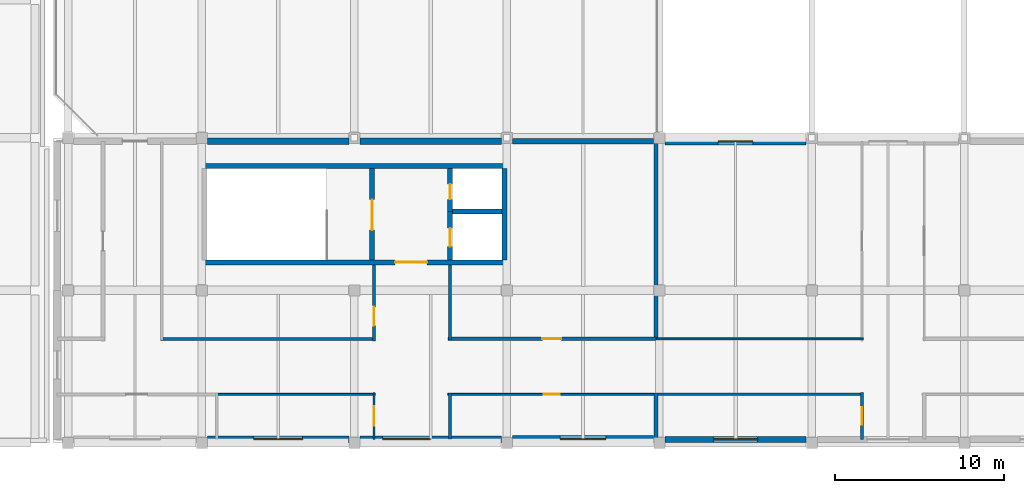
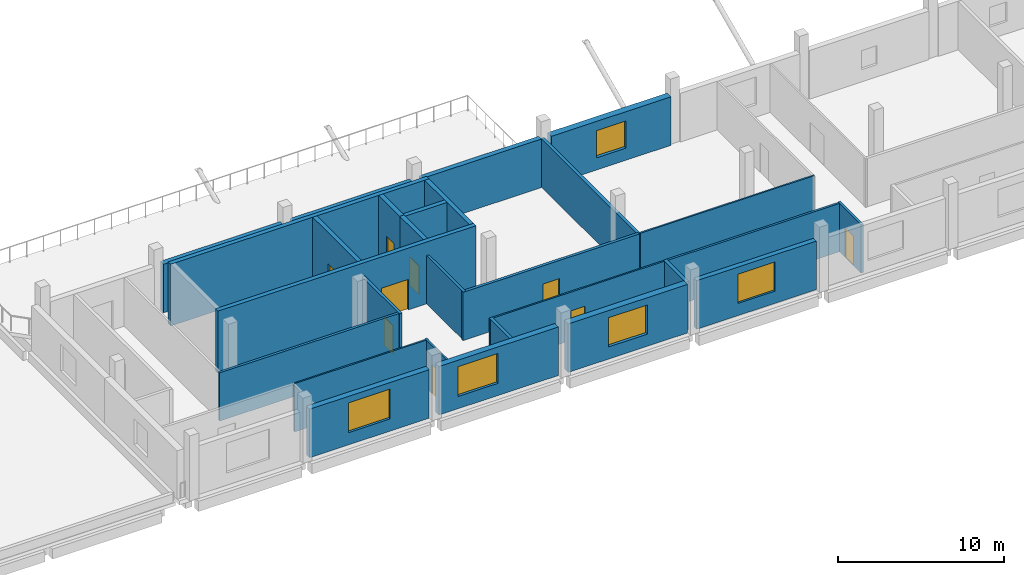
# One storey, part 48 of 82: 28 walls, 9 doors, 5 windows, 14 openings.
"""IFC4 building model written with IfcOpenShell, lengths in metres."""

import ifcopenshell
import ifcopenshell.guid

model = None  # the IFC model being written
_history = None  # IfcOwnerHistory: only IFC2X3 demands one
_inside = {}  # id of a spatial element -> (the spatial element, [elements in it])
_under = {}  # id of a project, library or spatial element -> (it, [spatial elements below it])
_declared = {}  # id of a project -> (the project, [libraries it declares])
_typed = {}  # id of a type object -> (the type object, [elements of that type])
_made_of = {}  # id of a material, layer set ... -> (it, [elements and type objects made of it])


def new_model(schema):
    """Start an empty IFC model of exactly this schema.

    Asked for "IFC4X3", IfcOpenShell would pick the latest addendum, in which some entities
    have other attributes; the version numbers below select the first issue.
    IFC2X3 requires an IfcOwnerHistory on every rooted entity: one is made here for all.
    """
    global model, _history
    if schema == "IFC4X3":
        model = ifcopenshell.file(schema_version=(4, 3, 0, 0))
    else:
        model = ifcopenshell.file(schema=schema)
    _inside.clear()
    _under.clear()
    _declared.clear()
    _typed.clear()
    _made_of.clear()
    _history = None
    if model.schema == "IFC2X3":
        org = make("IfcOrganization", Name="unknown")
        user = make(
            "IfcPersonAndOrganization",
            ThePerson=make("IfcPerson", FamilyName="unknown"),
            TheOrganization=org,
        )
        app = make(
            "IfcApplication",
            ApplicationDeveloper=org,
            Version="unknown",
            ApplicationFullName="unknown",
            ApplicationIdentifier="unknown",
        )
        _history = make(
            "IfcOwnerHistory",
            OwningUser=user,
            OwningApplication=app,
            ChangeAction="ADDED",
            CreationDate=0,
        )
    return model


def make(cls, **values):
    """One entity of the class cls with the attributes given. An attribute that is None is left unset."""
    return model.create_entity(
        cls, **{name: value for name, value in values.items() if value is not None}
    )


def rooted(cls, **values):
    """An entity with a GlobalId (a new one), such as an element, a storey or a relation."""
    return make(cls, GlobalId=ifcopenshell.guid.new(), OwnerHistory=_history, **values)


def si_unit(unit_type, name, prefix=None):
    """IfcSIUnit, for example si_unit("LENGTHUNIT", "METRE", prefix="MILLI")."""
    return make("IfcSIUnit", UnitType=unit_type, Prefix=prefix, Name=name)


def assignment(units):
    """IfcUnitAssignment: the units of a project."""
    return None if units is None else make("IfcUnitAssignment", Units=units)


def point(xyz):
    """IfcCartesianPoint."""
    return None if xyz is None else make("IfcCartesianPoint", Coordinates=xyz)


def direction(xyz):
    """IfcDirection."""
    return None if xyz is None else make("IfcDirection", DirectionRatios=xyz)


def frame(location, z_axis=None, x_axis=None):
    """IfcAxis2Placement3D, a coordinate frame: its origin and axes. An axis left out is left unset."""
    return make(
        "IfcAxis2Placement3D",
        Location=point(location),
        Axis=direction(z_axis),
        RefDirection=direction(x_axis),
    )


def frame_2d(location, x_axis=None):
    """IfcAxis2Placement2D, a coordinate frame in the plane: its origin and x axis."""
    return make(
        "IfcAxis2Placement2D", Location=point(location), RefDirection=direction(x_axis)
    )


def origin():
    """The frame at (0, 0, 0) with its axes left unset."""
    return frame((0.0, 0.0, 0.0))


def place(relative_to, where):
    """IfcLocalPlacement: puts the frame where relative to a parent placement (None: the world)."""
    return make(
        "IfcLocalPlacement", PlacementRelTo=relative_to, RelativePlacement=where
    )


def context(
    kind, dimensions, precision=None, world=None, true_north=None, identifier=None
):
    """IfcGeometricRepresentationContext, for example the 3D "Model" context."""
    return make(
        "IfcGeometricRepresentationContext",
        ContextIdentifier=identifier,
        ContextType=kind,
        CoordinateSpaceDimension=dimensions,
        Precision=precision,
        WorldCoordinateSystem=world,
        TrueNorth=true_north,
    )


def subcontext(parent, identifier, kind, view, scale=None):
    """IfcGeometricRepresentationSubContext, for example "Body" below "Model"."""
    return make(
        "IfcGeometricRepresentationSubContext",
        ContextIdentifier=identifier,
        ContextType=kind,
        ParentContext=parent,
        TargetScale=scale,
        TargetView=view,
    )


def project(units=None, contexts=None):
    """IfcProject with its units and contexts."""
    return rooted(
        "IfcProject",
        Name="project",
        RepresentationContexts=contexts,
        UnitsInContext=assignment(units),
    )


def spatial(cls, under=None, at=None, **own):
    """A site, building, storey or space (cls), placed at a placement, below another one or the project."""
    s = rooted(cls, ObjectPlacement=at, **own)
    if under is not None:
        _under.setdefault(under.id(), (under, []))[1].append(s)
    return s


def profile(cls, at=None, kind="AREA", **sizes):
    """A parametric profile (cls). Its sizes go by their IFC names, for example OverallWidth=200.0."""
    return make(cls, ProfileType=kind, Position=at, **sizes)


def rectangle(**sizes):
    """IfcRectangleProfileDef."""
    return profile("IfcRectangleProfileDef", **sizes)


def extrude(swept, where, along, depth):
    """IfcExtrudedAreaSolid: the profile swept, set in the frame where, extruded along a direction by depth."""
    return make(
        "IfcExtrudedAreaSolid",
        SweptArea=swept,
        Position=where,
        ExtrudedDirection=direction(along),
        Depth=depth,
    )


def shape(context_of_items, identifier, shape_type, items):
    """IfcShapeRepresentation: the items that make up one representation, for example the "Body"."""
    return make(
        "IfcShapeRepresentation",
        ContextOfItems=context_of_items,
        RepresentationIdentifier=identifier,
        RepresentationType=shape_type,
        Items=items,
    )


def material(Name=None, Category=None):
    """IfcMaterial."""
    return make("IfcMaterial", Name=Name, Category=Category)


def layer(
    of_material, thickness, ventilated=None, Name=None, Category=None, Priority=None
):
    """IfcMaterialLayer: one layer of a wall or slab, of a material (None: an air gap)."""
    return make(
        "IfcMaterialLayer",
        Material=of_material,
        LayerThickness=thickness,
        IsVentilated=ventilated,
        Name=Name,
        Category=Category,
        Priority=Priority,
    )


def layer_set(layers, Name=None):
    """IfcMaterialLayerSet."""
    return make("IfcMaterialLayerSet", MaterialLayers=layers, LayerSetName=Name)


def made_of(thing, what):
    """Note that an element or type object is made of a material, layer set ...; save() writes the relation."""
    if what is not None:
        _made_of.setdefault(what.id(), (what, []))[1].append(thing)
    return thing


def type_object(cls, material=None, **own):
    """A type object (cls), such as IfcWallType, which elements share."""
    return made_of(rooted(cls, **own), material)


def element(
    cls,
    number,
    at=None,
    inside=None,
    cuts=None,
    type_object=None,
    material=None,
    context=None,
    identifier="Body",
    shape_type=None,
    held_by="IfcProductDefinitionShape",
    body=None,
    shapes=None,
    **own,
):
    """One element of the class cls, such as IfcWall. Its Tag is "e" and its number.

    at: its placement. inside: the storey or other place that contains it. cuts: it is an
    opening in that element (IfcRelVoidsElement). A single representation is given by context,
    identifier, shape_type and body (its items); several are given by shapes. held_by: the class
    of the entity that holds the representations. save() writes the other relations.
    """
    e = rooted(cls, Tag="e%d" % number, ObjectPlacement=at, **own)
    if body is not None:
        shapes = [shape(context, identifier, shape_type, body)]
    if shapes is not None:
        e.Representation = make(held_by, Representations=shapes)
    if inside is not None:
        _inside.setdefault(inside.id(), (inside, []))[1].append(e)
    if cuts is not None:
        rooted(
            "IfcRelVoidsElement", RelatingBuildingElement=cuts, RelatedOpeningElement=e
        )
    if type_object is not None:
        _typed.setdefault(type_object.id(), (type_object, []))[1].append(e)
    return made_of(e, material)


def fill(opening, filler):
    """IfcRelFillsElement: the door or window that sits in an opening."""
    return rooted(
        "IfcRelFillsElement",
        RelatingOpeningElement=opening,
        RelatedBuildingElement=filler,
    )


def aggregate(whole, parts):
    """IfcRelAggregates: a whole, such as a stair, and the parts it consists of."""
    return rooted("IfcRelAggregates", RelatingObject=whole, RelatedObjects=parts)


def save(model, path):
    """Write the relations noted so far, then the file.

    IfcRelAggregates (storeys below a building ...), IfcRelContainedInSpatialStructure (elements
    in a storey), IfcRelDefinesByType, IfcRelAssociatesMaterial and IfcRelDeclares: one each for
    every whole, place, type object, material and project.
    """
    for whole, parts in _under.values():
        aggregate(whole, parts)
    for where, things in _inside.values():
        rooted(
            "IfcRelContainedInSpatialStructure",
            RelatedElements=things,
            RelatingStructure=where,
        )
    for kind, things in _typed.values():
        rooted("IfcRelDefinesByType", RelatedObjects=things, RelatingType=kind)
    for what, things in _made_of.values():
        rooted("IfcRelAssociatesMaterial", RelatedObjects=things, RelatingMaterial=what)
    for by, libraries in _declared.values():
        rooted("IfcRelDeclares", RelatingContext=by, RelatedDefinitions=libraries)
    model.write(path)


model = new_model("IFC4")

# Units and contexts
model_context = context("Model", 3, precision=1e-05, world=origin(), true_north=direction((0.0, 1.0)))
body_context = subcontext(model_context, "Body", "Model", "MODEL_VIEW")
ifc_project = project(units=[si_unit("LENGTHUNIT", "METRE"), si_unit("AREAUNIT", "SQUARE_METRE"), si_unit("VOLUMEUNIT", "CUBIC_METRE"), si_unit("PLANEANGLEUNIT", "RADIAN"), si_unit("MASSUNIT", "GRAM", prefix="KILO"), si_unit("THERMODYNAMICTEMPERATUREUNIT", "KELVIN"), si_unit("POWERUNIT", "WATT")], contexts=[model_context])

# Site, building, storey
site_placement = place(None, origin())
site = spatial("IfcSite", under=ifc_project, at=site_placement, CompositionType="ELEMENT")
building_placement = place(site_placement, origin())
building = spatial("IfcBuilding", under=site, at=building_placement, Name="Sindhuravela Promenade Stadium", CompositionType="ELEMENT")
storey_placement = place(building_placement, frame((0.0, 0.0, 14.39990234375)))
storey = spatial("IfcBuildingStorey", under=building, at=storey_placement, Name="L03", CompositionType="ELEMENT", Elevation=14.39990234375)

# Wall
ifc_material_1 = material(Name="Terracotta clay brick masonry (15 MPa)", Category="masonry")
ifc_layer_1 = layer(ifc_material_1, 0.340087890625)
ifc_layer_set_1 = layer_set([ifc_layer_1], Name="Terracotta clay brick masonry (15 MPa)")
wall_type_1 = type_object("IfcWallType", Name="EX-WL-BRK340", PredefinedType="SOLIDWALL", material=ifc_layer_set_1)
wall_1_placement = place(storey_placement, frame((81.330078125, 26.800048828125, 0.0), z_axis=(0.0, 0.0, 1.0), x_axis=(1.0, 0.0, 0.0)))
element("IfcWall", 1, at=wall_1_placement, inside=storey, type_object=wall_type_1, Name="Exterior masonry wall EW06 SOUTH L03", PredefinedType="SOLIDWALL", context=body_context, shape_type="SweptSolid", body=[
    extrude(rectangle(XDim=8.33984375, YDim=0.340087890625, at=frame_2d((4.169921875, 0.0))), origin(), (0.0, 0.0, 1.0), 3.580078125),
])

# Wall, opening, window
wall_2_placement = place(storey_placement, frame((98.669921875, 9.199951171875, 0.0), z_axis=(0.0, 0.0, 1.0), x_axis=(-1.0, 0.0, 0.0)))
wall_2 = element("IfcWall", 2, at=wall_2_placement, inside=storey, type_object=wall_type_1, Name="Exterior masonry wall EW06 SOUTH L03", PredefinedType="SOLIDWALL", context=body_context, shape_type="SweptSolid", body=[
    extrude(rectangle(XDim=8.33984375, YDim=0.340087890625, at=frame_2d((4.169921875, 0.0))), origin(), (0.0, 0.0, 1.0), 3.580078125),
])
opening_1_placement = place(wall_2_placement, frame((2.8701171875, 0.0, 0.89990234375)))
opening_1 = element("IfcOpeningElement", 3, at=opening_1_placement, cuts=wall_2, Name="Opening W16", PredefinedType="OPENING", context=body_context, shape_type="SweptSolid", body=[
    extrude(rectangle(XDim=2.60009765625, YDim=2.14990234375, at=frame_2d((1.300048828125, 1.074951171875))), frame((0.0, 0.179931640625, 0.0), z_axis=(0.0, -1.0, 0.0), x_axis=(1.0, 0.0, 0.0)), (0.0, 0.0, 1.0), 0.360107421875),
])
ifc_material_2 = material(Name="Tempered laminated low-E glass", Category="glass")
window_type_1 = type_object("IfcWindowType", Name="WN-FAC-2600x2150", PartitioningType="DOUBLE_PANEL_VERTICAL", PredefinedType="WINDOW", material=ifc_material_2)
window_1_placement = place(opening_1_placement, origin())
window_1 = element("IfcWindow", 4, at=window_1_placement, inside=storey, type_object=window_type_1, Name="Window W16 SOUTH L03", OverallHeight=2.14990234375, OverallWidth=2.60009765625, PartitioningType="DOUBLE_PANEL_VERTICAL", PredefinedType="WINDOW", context=body_context, shape_type="SweptSolid", body=[
    extrude(rectangle(XDim=2.60009765625, YDim=2.14990234375, at=frame_2d((1.300048828125, 1.074951171875))), frame((0.0, 0.030029296875, 0.0), z_axis=(0.0, -1.0, 0.0), x_axis=(1.0, 0.0, 0.0)), (0.0, 0.0, 1.0), 0.06005859375),
])
fill(opening_1, window_1)

# Walls
ifc_layer_2 = layer(ifc_material_1, 0.360107421875)
ifc_layer_set_2 = layer_set([ifc_layer_2], Name="Terracotta clay brick masonry (15 MPa)")
wall_type_2 = type_object("IfcWallType", Name="EX-WL-BRK360", PredefinedType="SOLIDWALL", material=ifc_layer_set_2)
wall_3_placement = place(storey_placement, frame((72.330078125, 26.800048828125, 0.0), z_axis=(0.0, 0.0, 1.0), x_axis=(1.0, 0.0, 0.0)))
element("IfcWall", 5, at=wall_3_placement, inside=storey, type_object=wall_type_2, Name="Exterior masonry wall EW05 SOUTH L03", PredefinedType="SOLIDWALL", context=body_context, shape_type="SweptSolid", body=[
    extrude(rectangle(XDim=8.33984375, YDim=0.360107421875, at=frame_2d((4.169921875, 0.0))), origin(), (0.0, 0.0, 1.0), 3.580078125),
])
ifc_layer_3 = layer(ifc_material_1, 0.3798828125)
ifc_layer_set_3 = layer_set([ifc_layer_3], Name="Terracotta clay brick masonry (15 MPa)")
wall_type_3 = type_object("IfcWallType", Name="EX-WL-BRK380", PredefinedType="SOLIDWALL", material=ifc_layer_set_3)
wall_4_placement = place(storey_placement, frame((63.330078125, 26.800048828125, 0.0), z_axis=(0.0, 0.0, 1.0), x_axis=(1.0, 0.0, 0.0)))
element("IfcWall", 6, at=wall_4_placement, inside=storey, type_object=wall_type_3, Name="Exterior masonry wall EW04 SOUTH L03", PredefinedType="SOLIDWALL", context=body_context, shape_type="SweptSolid", body=[
    extrude(rectangle(XDim=8.33984375, YDim=0.3798828125, at=frame_2d((4.169921875, 0.0))), origin(), (0.0, 0.0, 1.0), 3.580078125),
])

# Wall, opening, window
ifc_layer_4 = layer(ifc_material_1, 0.39990234375)
ifc_layer_set_4 = layer_set([ifc_layer_4], Name="Terracotta clay brick masonry (15 MPa)")
wall_type_4 = type_object("IfcWallType", Name="EX-WL-BRK400", PredefinedType="SOLIDWALL", material=ifc_layer_set_4)
wall_5_placement = place(storey_placement, frame((71.669921875, 9.199951171875, 0.0), z_axis=(0.0, 0.0, 1.0), x_axis=(-1.0, 0.0, 0.0)))
wall_5 = element("IfcWall", 7, at=wall_5_placement, inside=storey, type_object=wall_type_4, Name="Exterior masonry wall EW03 SOUTH L03", PredefinedType="SOLIDWALL", context=body_context, shape_type="SweptSolid", body=[
    extrude(rectangle(XDim=8.33984375, YDim=0.39990234375, at=frame_2d((4.169921875, 0.0))), origin(), (0.0, 0.0, 1.0), 3.580078125),
])
opening_2_placement = place(wall_5_placement, frame((2.719970703125, 0.0, 0.89990234375)))
opening_2 = element("IfcOpeningElement", 8, at=opening_2_placement, cuts=wall_5, Name="Opening W19", PredefinedType="OPENING", context=body_context, shape_type="SweptSolid", body=[
    extrude(rectangle(XDim=2.89990234375, YDim=2.199951171875, at=frame_2d((1.449951171875, 1.10009765625))), frame((0.0, 0.2099609375, 0.0), z_axis=(0.0, -1.0, 0.0), x_axis=(1.0, 0.0, 0.0)), (0.0, 0.0, 1.0), 0.419921875),
])
window_type_2 = type_object("IfcWindowType", Name="WN-FAC-2900x2200", PartitioningType="DOUBLE_PANEL_VERTICAL", PredefinedType="WINDOW", material=ifc_material_2)
window_2_placement = place(opening_2_placement, origin())
window_2 = element("IfcWindow", 9, at=window_2_placement, inside=storey, type_object=window_type_2, Name="Window W19 SOUTH L03", OverallHeight=2.199951171875, OverallWidth=2.89990234375, PartitioningType="DOUBLE_PANEL_VERTICAL", PredefinedType="WINDOW", context=body_context, shape_type="SweptSolid", body=[
    extrude(rectangle(XDim=2.89990234375, YDim=2.199951171875, at=frame_2d((1.449951171875, 1.10009765625))), frame((0.0, 0.030029296875, 0.0), z_axis=(0.0, -1.0, 0.0), x_axis=(1.0, 0.0, 0.0)), (0.0, 0.0, 1.0), 0.06005859375),
])
fill(opening_2, window_2)

ifc_layer_5 = layer(ifc_material_1, 0.419921875)
ifc_layer_set_5 = layer_set([ifc_layer_5], Name="Terracotta clay brick masonry (15 MPa)")
wall_type_5 = type_object("IfcWallType", Name="EX-WL-BRK420", PredefinedType="SOLIDWALL", material=ifc_layer_set_5)
wall_6_placement = place(storey_placement, frame((80.669921875, 9.199951171875, 0.0), z_axis=(0.0, 0.0, 1.0), x_axis=(-1.0, 0.0, 0.0)))
wall_6 = element("IfcWall", 10, at=wall_6_placement, inside=storey, type_object=wall_type_5, Name="Exterior masonry wall EW02 SOUTH L03", PredefinedType="SOLIDWALL", context=body_context, shape_type="SweptSolid", body=[
    extrude(rectangle(XDim=8.33984375, YDim=0.419921875, at=frame_2d((4.169921875, 0.0))), origin(), (0.0, 0.0, 1.0), 3.580078125),
])
opening_3_placement = place(wall_6_placement, frame((4.199951171875, 0.0, 0.89990234375)))
opening_3 = element("IfcOpeningElement", 11, at=opening_3_placement, cuts=wall_6, Name="Opening W18", PredefinedType="OPENING", context=body_context, shape_type="SweptSolid", body=[
    extrude(rectangle(XDim=2.800048828125, YDim=2.199951171875, at=frame_2d((1.39990234375, 1.10009765625))), frame((0.0, 0.219970703125, 0.0), z_axis=(0.0, -1.0, 0.0), x_axis=(1.0, 0.0, 0.0)), (0.0, 0.0, 1.0), 0.43994140625),
])
window_type_3 = type_object("IfcWindowType", Name="WN-FAC-2800x2200", PartitioningType="DOUBLE_PANEL_VERTICAL", PredefinedType="WINDOW", material=ifc_material_2)
window_3_placement = place(opening_3_placement, origin())
window_3 = element("IfcWindow", 12, at=window_3_placement, inside=storey, type_object=window_type_3, Name="Window W18 SOUTH L03", OverallHeight=2.199951171875, OverallWidth=2.800048828125, PartitioningType="DOUBLE_PANEL_VERTICAL", PredefinedType="WINDOW", context=body_context, shape_type="SweptSolid", body=[
    extrude(rectangle(XDim=2.800048828125, YDim=2.199951171875, at=frame_2d((1.39990234375, 1.10009765625))), frame((0.0, 0.030029296875, 0.0), z_axis=(0.0, -1.0, 0.0), x_axis=(1.0, 0.0, 0.0)), (0.0, 0.0, 1.0), 0.06005859375),
])
fill(opening_3, window_3)

ifc_layer_6 = layer(ifc_material_1, 0.4599609375)
ifc_layer_set_6 = layer_set([ifc_layer_6], Name="Terracotta clay brick masonry (15 MPa)")
wall_type_6 = type_object("IfcWallType", Name="EX-WL-BRK460", PredefinedType="SOLIDWALL", material=ifc_layer_set_6)
wall_7_placement = place(storey_placement, frame((90.330078125, 26.800048828125, 0.0), z_axis=(0.0, 0.0, 1.0), x_axis=(1.0, 0.0, 0.0)))
wall_7 = element("IfcWall", 13, at=wall_7_placement, inside=storey, type_object=wall_type_6, Name="Exterior masonry wall EW01 SOUTH L03", PredefinedType="SOLIDWALL", context=body_context, shape_type="SweptSolid", body=[
    extrude(rectangle(XDim=8.33984375, YDim=0.4599609375, at=frame_2d((4.169921875, 0.0))), origin(), (0.0, 0.0, 1.0), 3.580078125),
])
opening_4_placement = place(wall_7_placement, frame((3.14501953125, 0.0, 0.89990234375)))
opening_4 = element("IfcOpeningElement", 14, at=opening_4_placement, cuts=wall_7, Name="Opening W29", PredefinedType="OPENING", context=body_context, shape_type="SweptSolid", body=[
    extrude(rectangle(XDim=2.050048828125, YDim=2.0, at=frame_2d((1.02490234375, 1.0))), frame((0.0, 0.239990234375, 0.0), z_axis=(0.0, -1.0, 0.0), x_axis=(1.0, 0.0, 0.0)), (0.0, 0.0, 1.0), 0.47998046875),
])
window_type_4 = type_object("IfcWindowType", Name="WN-FAC-2050x2000", PartitioningType="DOUBLE_PANEL_VERTICAL", PredefinedType="WINDOW", material=ifc_material_2)
window_4_placement = place(opening_4_placement, origin())
window_4 = element("IfcWindow", 15, at=window_4_placement, inside=storey, type_object=window_type_4, Name="Window W29 SOUTH L03", OverallHeight=2.0, OverallWidth=2.050048828125, PartitioningType="DOUBLE_PANEL_VERTICAL", PredefinedType="WINDOW", context=body_context, shape_type="SweptSolid", body=[
    extrude(rectangle(XDim=2.050048828125, YDim=2.0, at=frame_2d((1.02490234375, 1.0))), frame((0.0, 0.030029296875, 0.0), z_axis=(0.0, -1.0, 0.0), x_axis=(1.0, 0.0, 0.0)), (0.0, 0.0, 1.0), 0.06005859375),
])
fill(opening_4, window_4)

wall_8_placement = place(storey_placement, frame((89.669921875, 9.199951171875, 0.0), z_axis=(0.0, 0.0, 1.0), x_axis=(-1.0, 0.0, 0.0)))
wall_8 = element("IfcWall", 16, at=wall_8_placement, inside=storey, type_object=wall_type_6, Name="Exterior masonry wall EW01 SOUTH L03", PredefinedType="SOLIDWALL", context=body_context, shape_type="SweptSolid", body=[
    extrude(rectangle(XDim=8.33984375, YDim=0.4599609375, at=frame_2d((4.169921875, 0.0))), origin(), (0.0, 0.0, 1.0), 3.580078125),
])
opening_5_placement = place(wall_8_placement, frame((2.820068359375, 0.0, 0.89990234375)))
opening_5 = element("IfcOpeningElement", 17, at=opening_5_placement, cuts=wall_8, Name="Opening W17", PredefinedType="OPENING", context=body_context, shape_type="SweptSolid", body=[
    extrude(rectangle(XDim=2.699951171875, YDim=2.14990234375, at=frame_2d((1.35009765625, 1.074951171875))), frame((0.0, 0.239990234375, 0.0), z_axis=(0.0, -1.0, 0.0), x_axis=(1.0, 0.0, 0.0)), (0.0, 0.0, 1.0), 0.47998046875),
])
window_type_5 = type_object("IfcWindowType", Name="WN-FAC-2700x2150", PartitioningType="DOUBLE_PANEL_VERTICAL", PredefinedType="WINDOW", material=ifc_material_2)
window_5_placement = place(opening_5_placement, origin())
window_5 = element("IfcWindow", 18, at=window_5_placement, inside=storey, type_object=window_type_5, Name="Window W17 SOUTH L03", OverallHeight=2.14990234375, OverallWidth=2.699951171875, PartitioningType="DOUBLE_PANEL_VERTICAL", PredefinedType="WINDOW", context=body_context, shape_type="SweptSolid", body=[
    extrude(rectangle(XDim=2.699951171875, YDim=2.14990234375, at=frame_2d((1.35009765625, 1.074951171875))), frame((0.0, 0.030029296875, 0.0), z_axis=(0.0, -1.0, 0.0), x_axis=(1.0, 0.0, 0.0)), (0.0, 0.0, 1.0), 0.06005859375),
])
fill(opening_5, window_5)

# Wall
ifc_material_3 = material(Name="Fire-rated gypsum partition board", Category="gypsum")
ifc_layer_7 = layer(ifc_material_3, 0.110107421875)
ifc_layer_set_7 = layer_set([ifc_layer_7], Name="Fire-rated gypsum partition board")
wall_type_7 = type_object("IfcWallType", Name="IN-WL-PAR110", PredefinedType="PARTITIONING", material=ifc_layer_set_7)
wall_9_placement = place(storey_placement, frame((102.0400390625, 15.139892578125, 0.0), z_axis=(0.0, 0.0, 1.0), x_axis=(-1.0, 0.0, 0.0)))
element("IfcWall", 19, at=wall_9_placement, inside=storey, type_object=wall_type_7, Name="Interior partition IW06 SOUTH L03", PredefinedType="PARTITIONING", context=body_context, shape_type="SweptSolid", body=[
    extrude(rectangle(XDim=12.199951171875, YDim=0.110107421875, at=frame_2d((6.10009765625, 0.0))), origin(), (0.0, 0.0, 1.0), 3.56005859375),
])

# Wall, opening, door
wall_10_placement = place(storey_placement, frame((89.800048828125, 11.860107421875, 0.0), z_axis=(0.0, 0.0, 1.0), x_axis=(-1.0, 0.0, 0.0)))
wall_10 = element("IfcWall", 20, at=wall_10_placement, inside=storey, type_object=wall_type_7, Name="Corridor partition IW06 South Community Lecture Hall 7", PredefinedType="PARTITIONING", context=body_context, shape_type="SweptSolid", body=[
    extrude(rectangle(XDim=12.280029296875, YDim=0.110107421875, at=frame_2d((6.14013671875, 0.0))), origin(), (0.0, 0.0, 1.0), 3.56005859375),
])
opening_6_placement = place(wall_10_placement, frame((5.6650390625, 0.0, 0.0)))
opening_6 = element("IfcOpeningElement", 21, at=opening_6_placement, cuts=wall_10, Name="Opening ID10", PredefinedType="OPENING", context=body_context, shape_type="SweptSolid", body=[
    extrude(rectangle(XDim=0.949951171875, YDim=2.179931640625, at=frame_2d((0.47509765625, 1.08984375))), frame((0.0, 0.06494140625, 0.0), z_axis=(0.0, -1.0, 0.0), x_axis=(1.0, 0.0, 0.0)), (0.0, 0.0, 1.0), 0.130126953125),
])
ifc_material_4 = material(Name="Architectural teak timber leaf", Category="wood")
door_type_1 = type_object("IfcDoorType", Name="DR-INT-950x2180", OperationType="NOTDEFINED", PredefinedType="DOOR", material=ifc_material_4)
door_1_placement = place(opening_6_placement, origin())
door_1 = element("IfcDoor", 22, at=door_1_placement, inside=storey, type_object=door_type_1, Name="South Community Lecture Hall 7 door", OperationType="SINGLE_SWING_RIGHT", OverallHeight=2.179931640625, OverallWidth=0.949951171875, PredefinedType="DOOR", context=body_context, shape_type="SweptSolid", body=[
    extrude(rectangle(XDim=0.949951171875, YDim=2.179931640625, at=frame_2d((0.47509765625, 1.08984375))), frame((0.0, 0.02490234375, 0.0), z_axis=(0.0, -1.0, 0.0), x_axis=(1.0, 0.0, 0.0)), (0.0, 0.0, 1.0), 0.050048828125),
])
fill(opening_6, door_1)

# Wall
wall_11_placement = place(storey_placement, frame((63.905029296875, 11.860107421875, 0.0), z_axis=(0.0, 0.0, 1.0), x_axis=(1.0, 0.0, 0.0)))
element("IfcWall", 23, at=wall_11_placement, inside=storey, type_object=wall_type_7, Name="Interior partition IW06 SOUTH L03", PredefinedType="PARTITIONING", context=body_context, shape_type="SweptSolid", body=[
    extrude(rectangle(XDim=9.3349609375, YDim=0.110107421875, at=frame_2d((4.66748046875, 0.0))), origin(), (0.0, 0.0, 1.0), 3.56005859375),
])

# Wall, opening, door
ifc_layer_8 = layer(ifc_material_3, 0.1298828125)
ifc_layer_set_8 = layer_set([ifc_layer_8], Name="Fire-rated gypsum partition board")
wall_type_8 = type_object("IfcWallType", Name="IN-WL-PAR130", PredefinedType="PARTITIONING", material=ifc_layer_set_8)
wall_12_placement = place(storey_placement, frame((73.159912109375, 9.199951171875, 0.0), z_axis=(0.0, 0.0, 1.0), x_axis=(0.0, 1.0, 0.0)))
wall_12 = element("IfcWall", 24, at=wall_12_placement, inside=storey, type_object=wall_type_8, Name="Corridor partition IW05 South Community Lecture Hall 12", PredefinedType="PARTITIONING", context=body_context, shape_type="SweptSolid", body=[
    extrude(rectangle(XDim=2.780029296875, YDim=0.1298828125, at=frame_2d((1.39013671875, 0.0))), origin(), (0.0, 0.0, 1.0), 3.56005859375),
])
opening_7_placement = place(wall_12_placement, frame((0.81494140625, 0.0, 0.0)))
opening_7 = element("IfcOpeningElement", 25, at=opening_7_placement, cuts=wall_12, Name="Opening ID05", PredefinedType="OPENING", context=body_context, shape_type="SweptSolid", body=[
    extrude(rectangle(XDim=1.14990234375, YDim=2.14990234375, at=frame_2d((0.574951171875, 1.074951171875))), frame((0.0, 0.074951171875, 0.0), z_axis=(0.0, -1.0, 0.0), x_axis=(1.0, 0.0, 0.0)), (0.0, 0.0, 1.0), 0.14990234375),
])
door_type_2 = type_object("IfcDoorType", Name="DR-INT-1150x2150", OperationType="NOTDEFINED", PredefinedType="DOOR", material=ifc_material_4)
door_2_placement = place(opening_7_placement, origin())
door_2 = element("IfcDoor", 26, at=door_2_placement, inside=storey, type_object=door_type_2, Name="South Community Lecture Hall 12 door", OperationType="SINGLE_SWING_LEFT", OverallHeight=2.14990234375, OverallWidth=1.14990234375, PredefinedType="DOOR", context=body_context, shape_type="SweptSolid", body=[
    extrude(rectangle(XDim=1.14990234375, YDim=2.14990234375, at=frame_2d((0.574951171875, 1.074951171875))), frame((0.0, 0.02490234375, 0.0), z_axis=(0.0, -1.0, 0.0), x_axis=(1.0, 0.0, 0.0)), (0.0, 0.0, 1.0), 0.050048828125),
])
fill(opening_7, door_2)

# Walls
ifc_layer_9 = layer(ifc_material_3, 0.14990234375)
ifc_layer_set_9 = layer_set([ifc_layer_9], Name="Fire-rated gypsum partition board")
wall_type_9 = type_object("IfcWallType", Name="IN-WL-PAR150", PredefinedType="PARTITIONING", material=ifc_layer_set_9)
wall_13_placement = place(storey_placement, frame((89.840087890625, 11.860107421875, 0.0), z_axis=(0.0, 0.0, 1.0), x_axis=(1.0, 0.0, 0.0)))
element("IfcWall", 27, at=wall_13_placement, inside=storey, type_object=wall_type_9, Name="Interior partition IW04 SOUTH L03", PredefinedType="PARTITIONING", context=body_context, shape_type="SweptSolid", body=[
    extrude(rectangle(XDim=12.199951171875, YDim=0.14990234375, at=frame_2d((6.10009765625, 0.0))), origin(), (0.0, 0.0, 1.0), 3.56005859375),
])
ifc_layer_10 = layer(ifc_material_3, 0.175048828125)
ifc_layer_set_10 = layer_set([ifc_layer_10], Name="Fire-rated gypsum partition board")
wall_type_10 = type_object("IfcWallType", Name="IN-WL-PAR175", PredefinedType="PARTITIONING", material=ifc_layer_set_10)
wall_14_placement = place(storey_placement, frame((77.639892578125, 15.06005859375, 0.0), z_axis=(0.0, 0.0, 1.0), x_axis=(0.0, 1.0, 0.0)))
element("IfcWall", 28, at=wall_14_placement, inside=storey, type_object=wall_type_10, Name="Interior partition IW03 SOUTH L03", PredefinedType="PARTITIONING", context=body_context, shape_type="SweptSolid", body=[
    extrude(rectangle(XDim=4.43798828125, YDim=0.175048828125, at=frame_2d((2.218994140625, 0.0))), origin(), (0.0, 0.0, 1.0), 3.56005859375),
])
wall_15_placement = place(storey_placement, frame((73.239990234375, 15.139892578125, 0.0), z_axis=(0.0, 0.0, 1.0), x_axis=(-1.0, 0.0, 0.0)))
element("IfcWall", 29, at=wall_15_placement, inside=storey, type_object=wall_type_10, Name="Interior partition IW03 SOUTH L03", PredefinedType="PARTITIONING", context=body_context, shape_type="SweptSolid", body=[
    extrude(rectangle(XDim=12.679931640625, YDim=0.175048828125, at=frame_2d((6.33984375, 0.0))), origin(), (0.0, 0.0, 1.0), 3.56005859375),
])

# Wall, opening, door
wall_16_placement = place(storey_placement, frame((101.9599609375, 9.199951171875, 0.0), z_axis=(0.0, 0.0, 1.0), x_axis=(0.0, 1.0, 0.0)))
wall_16 = element("IfcWall", 30, at=wall_16_placement, inside=storey, type_object=wall_type_10, Name="Corridor partition IW03 South Upper Concourse Lounge 8", PredefinedType="PARTITIONING", context=body_context, shape_type="SweptSolid", body=[
    extrude(rectangle(XDim=2.780029296875, YDim=0.175048828125, at=frame_2d((1.39013671875, 0.0))), origin(), (0.0, 0.0, 1.0), 3.56005859375),
])
opening_8_placement = place(wall_16_placement, frame((0.8798828125, 0.0, 0.0)))
opening_8 = element("IfcOpeningElement", 31, at=opening_8_placement, cuts=wall_16, Name="Opening ID11", PredefinedType="OPENING", context=body_context, shape_type="SweptSolid", body=[
    extrude(rectangle(XDim=1.02001953125, YDim=2.159912109375, at=frame_2d((0.510009765625, 1.080078125))), frame((0.0, 0.097412109375, 0.0), z_axis=(0.0, -1.0, 0.0), x_axis=(1.0, 0.0, 0.0)), (0.0, 0.0, 1.0), 0.195068359375),
])
door_type_3 = type_object("IfcDoorType", Name="DR-INT-1020x2160", OperationType="NOTDEFINED", PredefinedType="DOOR", material=ifc_material_4)
door_3_placement = place(opening_8_placement, origin())
door_3 = element("IfcDoor", 32, at=door_3_placement, inside=storey, type_object=door_type_3, Name="South Upper Concourse Lounge 8 door", OperationType="SINGLE_SWING_LEFT", OverallHeight=2.159912109375, OverallWidth=1.02001953125, PredefinedType="DOOR", context=body_context, shape_type="SweptSolid", body=[
    extrude(rectangle(XDim=1.02001953125, YDim=2.159912109375, at=frame_2d((0.510009765625, 1.080078125))), frame((0.0, 0.02490234375, 0.0), z_axis=(0.0, -1.0, 0.0), x_axis=(1.0, 0.0, 0.0)), (0.0, 0.0, 1.0), 0.050048828125),
])
fill(opening_8, door_3)

ifc_layer_11 = layer(ifc_material_3, 0.195068359375)
ifc_layer_set_11 = layer_set([ifc_layer_11], Name="Fire-rated gypsum partition board")
wall_type_11 = type_object("IfcWallType", Name="IN-WL-PAR195", PredefinedType="PARTITIONING", material=ifc_layer_set_11)
wall_17_placement = place(storey_placement, frame((77.52001953125, 15.139892578125, 0.0), z_axis=(0.0, 0.0, 1.0), x_axis=(1.0, 0.0, 0.0)))
wall_17 = element("IfcWall", 33, at=wall_17_placement, inside=storey, type_object=wall_type_11, Name="Corridor partition IW02 Accessible WC South L03", PredefinedType="PARTITIONING", context=body_context, shape_type="SweptSolid", body=[
    extrude(rectangle(XDim=12.280029296875, YDim=0.195068359375, at=frame_2d((6.14013671875, 0.0))), origin(), (0.0, 0.0, 1.0), 3.56005859375),
])
opening_9_placement = place(wall_17_placement, frame((5.580078125, 0.0, 0.0)))
opening_9 = element("IfcOpeningElement", 34, at=opening_9_placement, cuts=wall_17, Name="Opening ID13", PredefinedType="OPENING", context=body_context, shape_type="SweptSolid", body=[
    extrude(rectangle(XDim=1.1201171875, YDim=2.219970703125, at=frame_2d((0.56005859375, 1.10986328125))), frame((0.0, 0.107421875, 0.0), z_axis=(0.0, -1.0, 0.0), x_axis=(1.0, 0.0, 0.0)), (0.0, 0.0, 1.0), 0.215087890625),
])
door_type_4 = type_object("IfcDoorType", Name="DR-INT-1120x2220", OperationType="NOTDEFINED", PredefinedType="DOOR", material=ifc_material_4)
door_4_placement = place(opening_9_placement, origin())
door_4 = element("IfcDoor", 35, at=door_4_placement, inside=storey, type_object=door_type_4, Name="Accessible WC South L03 door", OperationType="SINGLE_SWING_LEFT", OverallHeight=2.219970703125, OverallWidth=1.1201171875, PredefinedType="DOOR", context=body_context, shape_type="SweptSolid", body=[
    extrude(rectangle(XDim=1.1201171875, YDim=2.219970703125, at=frame_2d((0.56005859375, 1.10986328125))), frame((0.0, 0.02490234375, 0.0), z_axis=(0.0, -1.0, 0.0), x_axis=(1.0, 0.0, 0.0)), (0.0, 0.0, 1.0), 0.050048828125),
])
fill(opening_9, door_4)

wall_18_placement = place(storey_placement, frame((73.159912109375, 15.02001953125, 0.0), z_axis=(0.0, 0.0, 1.0), x_axis=(0.0, 1.0, 0.0)))
wall_18 = element("IfcWall", 36, at=wall_18_placement, inside=storey, type_object=wall_type_11, Name="Corridor partition IW02 South Upper Concourse Lounge 3", PredefinedType="PARTITIONING", context=body_context, shape_type="SweptSolid", body=[
    extrude(rectangle(XDim=4.47802734375, YDim=0.195068359375, at=frame_2d((2.239013671875, 0.0))), origin(), (0.0, 0.0, 1.0), 3.56005859375),
])
opening_10_placement = place(wall_18_placement, frame((0.901123046875, 0.0, 0.0)))
opening_10 = element("IfcOpeningElement", 37, at=opening_10_placement, cuts=wall_18, Name="Opening ID06", PredefinedType="OPENING", context=body_context, shape_type="SweptSolid", body=[
    extrude(rectangle(XDim=1.10009765625, YDim=2.10009765625, at=frame_2d((0.550048828125, 1.050048828125))), frame((0.0, 0.107421875, 0.0), z_axis=(0.0, -1.0, 0.0), x_axis=(1.0, 0.0, 0.0)), (0.0, 0.0, 1.0), 0.215087890625),
])
door_type_5 = type_object("IfcDoorType", Name="DR-INT-1100x2100", OperationType="NOTDEFINED", PredefinedType="DOOR", material=ifc_material_4)
door_5_placement = place(opening_10_placement, origin())
door_5 = element("IfcDoor", 38, at=door_5_placement, inside=storey, type_object=door_type_5, Name="South Upper Concourse Lounge 3 door", OperationType="SINGLE_SWING_RIGHT", OverallHeight=2.10009765625, OverallWidth=1.10009765625, PredefinedType="DOOR", context=body_context, shape_type="SweptSolid", body=[
    extrude(rectangle(XDim=1.10009765625, YDim=2.10009765625, at=frame_2d((0.550048828125, 1.050048828125))), frame((0.0, 0.02490234375, 0.0), z_axis=(0.0, -1.0, 0.0), x_axis=(1.0, 0.0, 0.0)), (0.0, 0.0, 1.0), 0.050048828125),
])
fill(opening_10, door_5)

# Walls
wall_19_placement = place(storey_placement, frame((77.639892578125, 9.239990234375, 0.0), z_axis=(0.0, 0.0, 1.0), x_axis=(0.0, 1.0, 0.0)))
element("IfcWall", 39, at=wall_19_placement, inside=storey, type_object=wall_type_11, Name="Interior partition IW02 SOUTH L03", PredefinedType="PARTITIONING", context=body_context, shape_type="SweptSolid", body=[
    extrude(rectangle(XDim=2.699951171875, YDim=0.195068359375, at=frame_2d((1.35009765625, 0.0))), origin(), (0.0, 0.0, 1.0), 3.56005859375),
])
ifc_layer_12 = layer(ifc_material_3, 0.219970703125)
ifc_layer_set_12 = layer_set([ifc_layer_12], Name="Fire-rated gypsum partition board")
wall_type_12 = type_object("IfcWallType", Name="IN-WL-PAR220", PredefinedType="PARTITIONING", material=ifc_layer_set_12)
wall_20_placement = place(storey_placement, frame((89.800048828125, 15.06005859375, 0.0), z_axis=(0.0, 0.0, 1.0), x_axis=(0.0, 1.0, 0.0)))
element("IfcWall", 40, at=wall_20_placement, inside=storey, type_object=wall_type_12, Name="Interior partition IW01 SOUTH L03", PredefinedType="PARTITIONING", context=body_context, shape_type="SweptSolid", body=[
    extrude(rectangle(XDim=11.699951171875, YDim=0.219970703125, at=frame_2d((5.85009765625, 0.0))), origin(), (0.0, 0.0, 1.0), 3.56005859375),
])
wall_21_placement = place(storey_placement, frame((89.800048828125, 11.93994140625, 0.0), z_axis=(0.0, 0.0, 1.0), x_axis=(0.0, -1.0, 0.0)))
element("IfcWall", 41, at=wall_21_placement, inside=storey, type_object=wall_type_12, Name="Interior partition IW01 SOUTH L03", PredefinedType="PARTITIONING", context=body_context, shape_type="SweptSolid", body=[
    extrude(rectangle(XDim=2.699951171875, YDim=0.219970703125, at=frame_2d((1.35009765625, 0.0))), origin(), (0.0, 0.0, 1.0), 3.56005859375),
])

# Wall, opening, door
ifc_material_5 = material(Name="Concrete M50", Category="concrete")
ifc_layer_13 = layer(ifc_material_5, 0.300048828125)
ifc_layer_set_13 = layer_set([ifc_layer_13], Name="Concrete M50")
wall_type_13 = type_object("IfcWallType", Name="RC-SW-300", PredefinedType="SHEAR", material=ifc_layer_set_13)
wall_22_placement = place(storey_placement, frame((63.0, 19.64990234375, 0.0), z_axis=(0.0, 0.0, 1.0), x_axis=(1.0, 0.0, 0.0)))
wall_22 = element("IfcWall", 42, at=wall_22_placement, inside=storey, type_object=wall_type_13, Name="Core shear wall C11-S (L03)", PredefinedType="SHEAR", context=body_context, shape_type="SweptSolid", body=[
    extrude(rectangle(XDim=18.0, YDim=0.300048828125, at=frame_2d((9.0, 0.0))), origin(), (0.0, 0.0, 1.0), 4.55517578125),
])
opening_11_placement = place(wall_22_placement, frame((11.39990234375, 0.0, 0.0)))
opening_11 = element("IfcOpeningElement", 43, at=opening_11_placement, cuts=wall_22, Name="Opening FD02", PredefinedType="OPENING", context=body_context, shape_type="SweptSolid", body=[
    extrude(rectangle(XDim=1.89990234375, YDim=2.25, at=frame_2d((0.949951171875, 1.125))), frame((0.0, 0.159912109375, 0.0), z_axis=(0.0, -1.0, 0.0), x_axis=(1.0, 0.0, 0.0)), (0.0, 0.0, 1.0), 0.320068359375),
])
ifc_material_6 = material(Name="Architectural wrought steel E350", Category="steel")
door_type_6 = type_object("IfcDoorType", Name="DR-LOB-1900x2250", OperationType="DOUBLE_DOOR_SINGLE_SWING", PredefinedType="DOOR", material=ifc_material_6)
door_6_placement = place(opening_11_placement, origin())
door_6 = element("IfcDoor", 44, at=door_6_placement, inside=storey, type_object=door_type_6, Name="Protected lobby entrance door C11 (L03)", OperationType="DOUBLE_DOOR_SINGLE_SWING", OverallHeight=2.25, OverallWidth=1.89990234375, PredefinedType="DOOR", context=body_context, shape_type="SweptSolid", body=[
    extrude(rectangle(XDim=1.89990234375, YDim=2.25, at=frame_2d((0.949951171875, 1.125))), frame((0.0, 0.02490234375, 0.0), z_axis=(0.0, -1.0, 0.0), x_axis=(1.0, 0.0, 0.0)), (0.0, 0.0, 1.0), 0.050048828125),
])
fill(opening_11, door_6)

# Walls
wall_23_placement = place(storey_placement, frame((81.0, 25.35009765625, 0.0), z_axis=(0.0, 0.0, 1.0), x_axis=(-1.0, 0.0, 0.0)))
element("IfcWall", 45, at=wall_23_placement, inside=storey, type_object=wall_type_13, Name="Core shear wall C11-N (L03)", PredefinedType="SHEAR", context=body_context, shape_type="SweptSolid", body=[
    extrude(rectangle(XDim=18.0, YDim=0.300048828125, at=frame_2d((9.0, 0.0))), origin(), (0.0, 0.0, 1.0), 4.55517578125),
])
wall_24_placement = place(storey_placement, frame((80.85009765625, 19.800048828125, 0.0), z_axis=(0.0, 0.0, 1.0), x_axis=(0.0, 1.0, 0.0)))
element("IfcWall", 46, at=wall_24_placement, inside=storey, type_object=wall_type_13, Name="Core shear wall C11-E (L03)", PredefinedType="SHEAR", context=body_context, shape_type="SweptSolid", body=[
    extrude(rectangle(XDim=5.39990234375, YDim=0.300048828125, at=frame_2d((2.699951171875, 0.0))), origin(), (0.0, 0.0, 1.0), 4.55517578125),
])

# Wall, opening, door
wall_25_placement = place(storey_placement, frame((73.050048828125, 19.800048828125, 0.0), z_axis=(0.0, 0.0, 1.0), x_axis=(0.0, 1.0, 0.0)))
wall_25 = element("IfcWall", 47, at=wall_25_placement, inside=storey, type_object=wall_type_13, Name="Core shear wall C11-ST (L03)", PredefinedType="SHEAR", context=body_context, shape_type="SweptSolid", body=[
    extrude(rectangle(XDim=5.39990234375, YDim=0.300048828125, at=frame_2d((2.699951171875, 0.0))), origin(), (0.0, 0.0, 1.0), 4.55517578125),
])
opening_12_placement = place(wall_25_placement, frame((1.75, 0.0, 0.0)))
opening_12 = element("IfcOpeningElement", 48, at=opening_12_placement, cuts=wall_25, Name="Opening FD01", PredefinedType="OPENING", context=body_context, shape_type="SweptSolid", body=[
    extrude(rectangle(XDim=1.800048828125, YDim=2.25, at=frame_2d((0.89990234375, 1.125))), frame((0.0, 0.159912109375, 0.0), z_axis=(0.0, -1.0, 0.0), x_axis=(1.0, 0.0, 0.0)), (0.0, 0.0, 1.0), 0.320068359375),
])
door_type_7 = type_object("IfcDoorType", Name="DR-CORE-1800x2250", OperationType="DOUBLE_DOOR_SINGLE_SWING", PredefinedType="DOOR", material=ifc_material_6)
door_7_placement = place(opening_12_placement, origin())
door_7 = element("IfcDoor", 49, at=door_7_placement, inside=storey, type_object=door_type_7, Name="Stair ST11 lobby fire door (L03)", OperationType="DOUBLE_DOOR_SINGLE_SWING", OverallHeight=2.25, OverallWidth=1.800048828125, PredefinedType="DOOR", context=body_context, shape_type="SweptSolid", body=[
    extrude(rectangle(XDim=1.800048828125, YDim=2.25, at=frame_2d((0.89990234375, 1.125))), frame((0.0, 0.02490234375, 0.0), z_axis=(0.0, -1.0, 0.0), x_axis=(1.0, 0.0, 0.0)), (0.0, 0.0, 1.0), 0.050048828125),
])
fill(opening_12, door_7)

wall_26_placement = place(storey_placement, frame((77.64990234375, 19.800048828125, 0.0), z_axis=(0.0, 0.0, 1.0), x_axis=(0.0, 1.0, 0.0)))
wall_26 = element("IfcWall", 50, at=wall_26_placement, inside=storey, type_object=wall_type_13, Name="Core shear wall C11-LFT (L03)", PredefinedType="SHEAR", context=body_context, shape_type="SweptSolid", body=[
    extrude(rectangle(XDim=2.849853515625, YDim=0.300048828125, at=frame_2d((1.4248046875, 0.0))), origin(), (0.0, 0.0, 1.0), 4.55517578125),
])
opening_13_placement = place(wall_26_placement, frame((0.77490234375, 0.0, 0.0)))
opening_13 = element("IfcOpeningElement", 51, at=opening_13_placement, cuts=wall_26, Name="Opening LD", PredefinedType="OPENING", context=body_context, shape_type="SweptSolid", body=[
    extrude(rectangle(XDim=1.10009765625, YDim=2.10009765625, at=frame_2d((0.550048828125, 1.050048828125))), frame((0.0, 0.159912109375, 0.0), z_axis=(0.0, -1.0, 0.0), x_axis=(1.0, 0.0, 0.0)), (0.0, 0.0, 1.0), 0.320068359375),
])
door_type_8 = type_object("IfcDoorType", Name="DR-LFT-1100x2100", OperationType="DOUBLE_DOOR_SLIDING", PredefinedType="DOOR", material=ifc_material_6)
door_8_placement = place(opening_13_placement, origin())
door_8 = element("IfcDoor", 52, at=door_8_placement, inside=storey, type_object=door_type_8, Name="Lift PL04 landing door (L03)", OperationType="DOUBLE_DOOR_SLIDING", OverallHeight=2.10009765625, OverallWidth=1.10009765625, PredefinedType="DOOR", context=body_context, shape_type="SweptSolid", body=[
    extrude(rectangle(XDim=1.10009765625, YDim=2.10009765625, at=frame_2d((0.550048828125, 1.050048828125))), frame((0.0, 0.02490234375, 0.0), z_axis=(0.0, -1.0, 0.0), x_axis=(1.0, 0.0, 0.0)), (0.0, 0.0, 1.0), 0.050048828125),
])
fill(opening_13, door_8)

wall_27_placement = place(storey_placement, frame((77.64990234375, 22.64990234375, 0.0), z_axis=(0.0, 0.0, 1.0), x_axis=(0.0, 1.0, 0.0)))
wall_27 = element("IfcWall", 53, at=wall_27_placement, inside=storey, type_object=wall_type_13, Name="Core shear wall C11-RSR (L03)", PredefinedType="SHEAR", context=body_context, shape_type="SweptSolid", body=[
    extrude(rectangle(XDim=2.550048828125, YDim=0.300048828125, at=frame_2d((1.27490234375, 0.0))), origin(), (0.0, 0.0, 1.0), 4.55517578125),
])
opening_14_placement = place(wall_27_placement, frame((0.72509765625, 0.0, 0.0)))
opening_14 = element("IfcOpeningElement", 54, at=opening_14_placement, cuts=wall_27, Name="Opening FD03", PredefinedType="OPENING", context=body_context, shape_type="SweptSolid", body=[
    extrude(rectangle(XDim=0.89990234375, YDim=2.10009765625, at=frame_2d((0.449951171875, 1.050048828125))), frame((0.0, 0.159912109375, 0.0), z_axis=(0.0, -1.0, 0.0), x_axis=(1.0, 0.0, 0.0)), (0.0, 0.0, 1.0), 0.320068359375),
])
door_type_9 = type_object("IfcDoorType", Name="DR-RSR-900x2100", OperationType="NOTDEFINED", PredefinedType="DOOR", material=ifc_material_6)
door_9_placement = place(opening_14_placement, origin())
door_9 = element("IfcDoor", 55, at=door_9_placement, inside=storey, type_object=door_type_9, Name="Riser shaft access door C11 (L03)", OperationType="SINGLE_SWING_RIGHT", OverallHeight=2.10009765625, OverallWidth=0.89990234375, PredefinedType="DOOR", context=body_context, shape_type="SweptSolid", body=[
    extrude(rectangle(XDim=0.89990234375, YDim=2.10009765625, at=frame_2d((0.449951171875, 1.050048828125))), frame((0.0, 0.02490234375, 0.0), z_axis=(0.0, -1.0, 0.0), x_axis=(1.0, 0.0, 0.0)), (0.0, 0.0, 1.0), 0.050048828125),
])
fill(opening_14, door_9)

# Wall
wall_28_placement = place(storey_placement, frame((77.800048828125, 22.64990234375, 0.0), z_axis=(0.0, 0.0, 1.0), x_axis=(1.0, 0.0, 0.0)))
element("IfcWall", 56, at=wall_28_placement, inside=storey, type_object=wall_type_13, Name="Core shear wall C11-DIV (L03)", PredefinedType="SHEAR", context=body_context, shape_type="SweptSolid", body=[
    extrude(rectangle(XDim=2.89990234375, YDim=0.300048828125, at=frame_2d((1.449951171875, 0.0))), origin(), (0.0, 0.0, 1.0), 4.55517578125),
])

save(model, "model.ifc")
